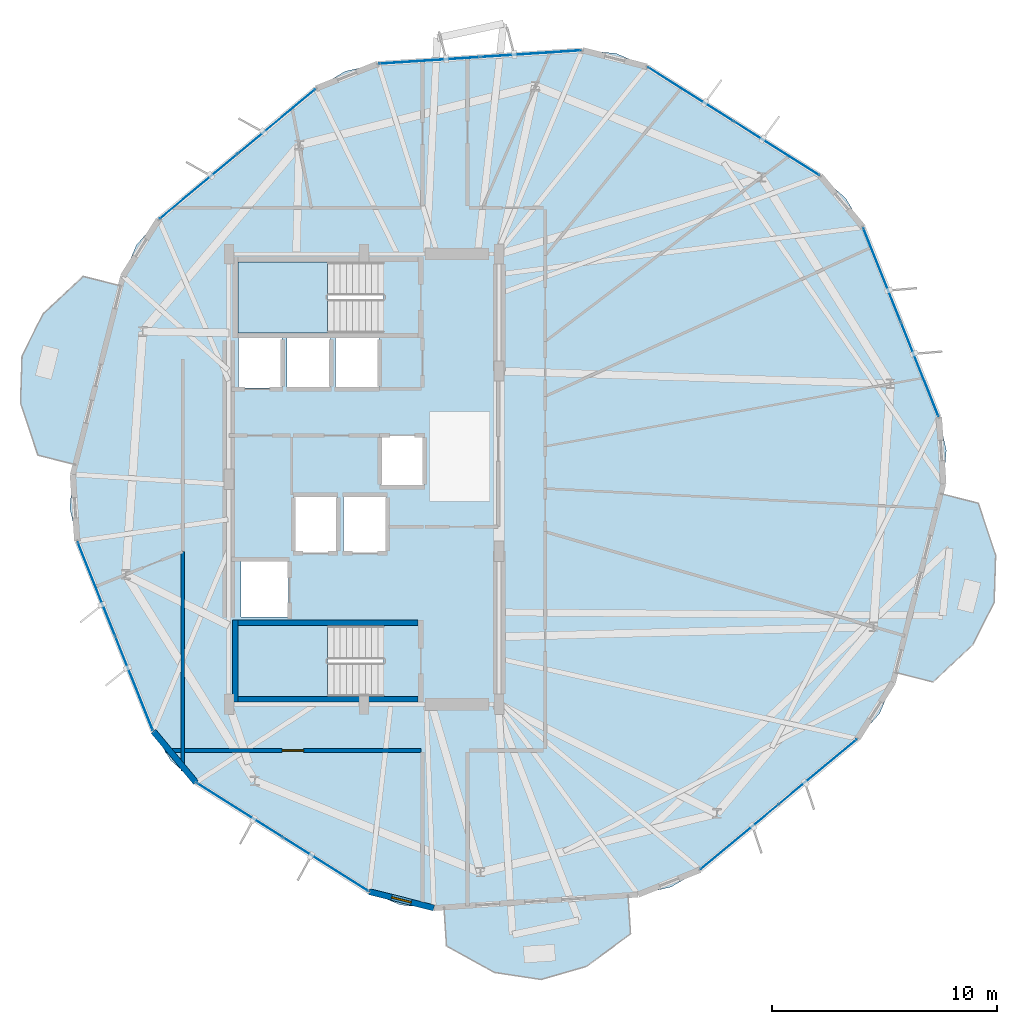
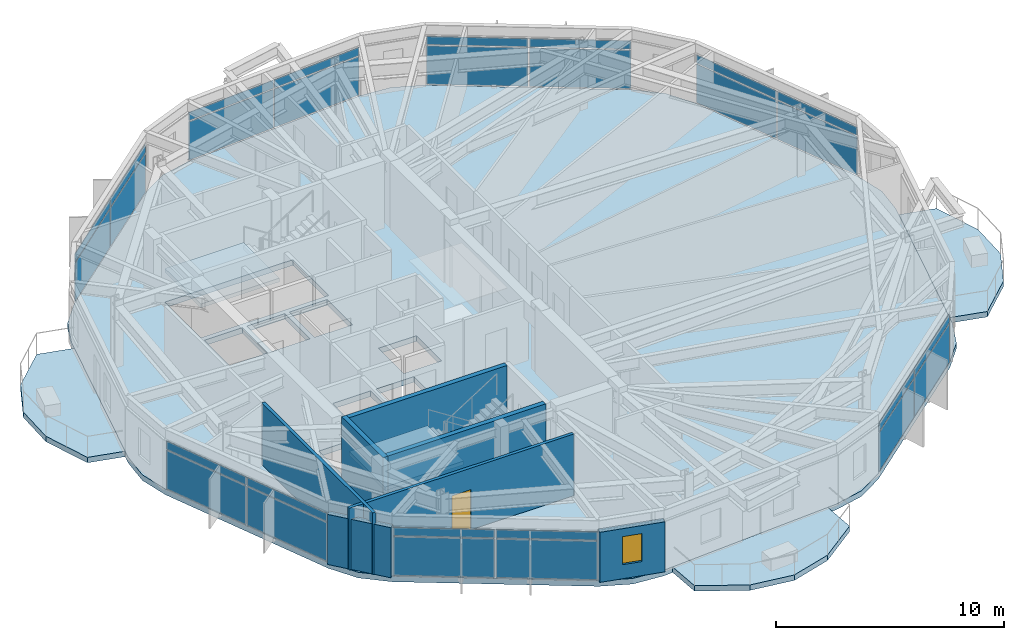
# One storey, part 18 of 24: 28 plates, 7 walls, 6 slabs, 1 door, 1 window, 2 openings, 9 elements without a shape of their own.
"""IFC4 building model written with IfcOpenShell, lengths in metres."""

from ifc_helpers import new_model, si_unit, direction, frame, frame_2d, origin, origin_2d, place, context, subcontext, project, spatial, polyline, rectangle, outline, extrude, material, layer, layer_set, type_object, element, fill, aggregate, save


model = new_model("IFC4")

# Units and contexts
model_context = context("Model", 3, precision=1e-05, world=origin(), true_north=direction((0.0, 1.0)))
body_context = subcontext(model_context, "Body", "Model", "MODEL_VIEW")
ifc_project = project(units=[si_unit("LENGTHUNIT", "METRE"), si_unit("AREAUNIT", "SQUARE_METRE"), si_unit("VOLUMEUNIT", "CUBIC_METRE"), si_unit("PLANEANGLEUNIT", "RADIAN"), si_unit("MASSUNIT", "GRAM", prefix="KILO")], contexts=[model_context])

# Site, building, storey
site_placement = place(None, origin())
site = spatial("IfcSite", under=ifc_project, at=site_placement, CompositionType="ELEMENT")
building_placement = place(site_placement, origin())
building = spatial("IfcBuilding", under=site, at=building_placement, Name="Soratama Intermodal Tower", CompositionType="ELEMENT")
storey_placement = place(building_placement, frame((0.0, 0.0, 178.60009765625)))
storey = spatial("IfcBuildingStorey", under=building, at=storey_placement, Name="L44", CompositionType="ELEMENT", Elevation=178.60009765625)

# Curtain wall, plates
ifc_material_1 = material(Name="Double-glazed aluminium curtain wall", Category="aluminium")
ifc_layer_1 = layer(ifc_material_1, 0.159912109375)
ifc_layer_set_1 = layer_set([ifc_layer_1], Name="Double-glazed aluminium curtain wall")
curtain_wall_type = type_object("IfcCurtainWallType", Name="CW-SYS-4", PredefinedType="NOTDEFINED", material=ifc_layer_set_1)
curtain_wall_1_placement = place(storey_placement, origin())
curtain_wall_1 = element("IfcCurtainWall", 1, at=curtain_wall_1_placement, inside=storey, type_object=curtain_wall_type, Name="L44 Faceted Curtain Wall F01", PredefinedType="NOTDEFINED")
ifc_material_2 = material(Name="Low-E laminated double glazing", Category="glass")
ifc_layer_2 = layer(ifc_material_2, 0.02392578125)
ifc_layer_set_2 = layer_set([ifc_layer_2], Name="Low-E laminated double glazing")
plate_type = type_object("IfcPlateType", Name="PT-CWP-4", PredefinedType="CURTAIN_PANEL", material=ifc_layer_set_2)
plate_1_placement = place(storey_placement, frame((56.924072265625, 39.687744140625, 0.059814453125), z_axis=(0.0, 0.0, 1.0), x_axis=(-0.846009666336, 0.53316755759, 0.0)))
plate_1 = element("IfcPlate", 2, at=plate_1_placement, type_object=plate_type, Name="CW-4 panel 1.1", PredefinedType="CURTAIN_PANEL", context=body_context, shape_type="SweptSolid", body=[
    extrude(rectangle(XDim=4.45361328125, YDim=0.028076171875, at=origin_2d()), origin(), (0.0, 0.0, 1.0), 2.06005859375),
])
plate_2_placement = place(storey_placement, frame((56.924072265625, 39.687744140625, 2.179931640625), z_axis=(0.0, 0.0, 1.0), x_axis=(-0.846009666336, 0.53316755759, 0.0)))
plate_2 = element("IfcPlate", 3, at=plate_2_placement, type_object=plate_type, Name="CW-4 panel 1.2", PredefinedType="CURTAIN_PANEL", context=body_context, shape_type="SweptSolid", body=[
    extrude(rectangle(XDim=4.45361328125, YDim=0.028076171875, at=origin_2d()), origin(), (0.0, 0.0, 1.0), 0.43896484375),
])
plate_3_placement = place(storey_placement, frame((53.10546875, 42.093994140625, 0.059814453125), z_axis=(0.0, 0.0, 1.0), x_axis=(-0.846009666336, 0.53316755759, 0.0)))
plate_3 = element("IfcPlate", 4, at=plate_3_placement, type_object=plate_type, Name="CW-4 panel 2.1", PredefinedType="CURTAIN_PANEL", context=body_context, shape_type="SweptSolid", body=[
    extrude(rectangle(XDim=4.45361328125, YDim=0.028076171875, at=origin_2d()), origin(), (0.0, 0.0, 1.0), 2.06005859375),
])
plate_4_placement = place(storey_placement, frame((53.10546875, 42.093994140625, 2.179931640625), z_axis=(0.0, 0.0, 1.0), x_axis=(-0.846009666336, 0.53316755759, 0.0)))
plate_4 = element("IfcPlate", 5, at=plate_4_placement, type_object=plate_type, Name="CW-4 panel 2.2", PredefinedType="CURTAIN_PANEL", context=body_context, shape_type="SweptSolid", body=[
    extrude(rectangle(XDim=4.45361328125, YDim=0.028076171875, at=origin_2d()), origin(), (0.0, 0.0, 1.0), 0.43896484375),
])
aggregate(curtain_wall_1, [plate_1, plate_2, plate_3, plate_4])

curtain_wall_2_placement = place(storey_placement, origin())
curtain_wall_2 = element("IfcCurtainWall", 6, at=curtain_wall_2_placement, inside=storey, type_object=curtain_wall_type, Name="L44 Faceted Curtain Wall F02", PredefinedType="NOTDEFINED")
plate_5_placement = place(storey_placement, frame((46.013427734375, 43.891357421875, 0.059814453125), z_axis=(0.0, 0.0, 1.0), x_axis=(-0.99782500344, -0.065918605192, 0.0)))
plate_5 = element("IfcPlate", 7, at=plate_5_placement, type_object=plate_type, Name="CW-4 panel 1.1", PredefinedType="CURTAIN_PANEL", context=body_context, shape_type="SweptSolid", body=[
    extrude(rectangle(XDim=4.453369140625, YDim=0.028076171875, at=origin_2d()), origin(), (0.0, 0.0, 1.0), 2.06005859375),
])
plate_6_placement = place(storey_placement, frame((46.013427734375, 43.891357421875, 2.179931640625), z_axis=(0.0, 0.0, 1.0), x_axis=(-0.99782500344, -0.065918605192, 0.0)))
plate_6 = element("IfcPlate", 8, at=plate_6_placement, type_object=plate_type, Name="CW-4 panel 1.2", PredefinedType="CURTAIN_PANEL", context=body_context, shape_type="SweptSolid", body=[
    extrude(rectangle(XDim=4.453369140625, YDim=0.028076171875, at=origin_2d()), origin(), (0.0, 0.0, 1.0), 0.43896484375),
])
plate_7_placement = place(storey_placement, frame((41.509765625, 43.59375, 0.059814453125), z_axis=(0.0, 0.0, 1.0), x_axis=(-0.99782500344, -0.065918605192, 0.0)))
plate_7 = element("IfcPlate", 9, at=plate_7_placement, type_object=plate_type, Name="CW-4 panel 2.1", PredefinedType="CURTAIN_PANEL", context=body_context, shape_type="SweptSolid", body=[
    extrude(rectangle(XDim=4.453369140625, YDim=0.028076171875, at=origin_2d()), origin(), (0.0, 0.0, 1.0), 2.06005859375),
])
plate_8_placement = place(storey_placement, frame((41.509765625, 43.59375, 2.179931640625), z_axis=(0.0, 0.0, 1.0), x_axis=(-0.99782500344, -0.065918605192, 0.0)))
plate_8 = element("IfcPlate", 10, at=plate_8_placement, type_object=plate_type, Name="CW-4 panel 2.2", PredefinedType="CURTAIN_PANEL", context=body_context, shape_type="SweptSolid", body=[
    extrude(rectangle(XDim=4.453369140625, YDim=0.028076171875, at=origin_2d()), origin(), (0.0, 0.0, 1.0), 0.43896484375),
])
aggregate(curtain_wall_2, [plate_5, plate_6, plate_7, plate_8])

curtain_wall_3_placement = place(storey_placement, origin())
curtain_wall_3 = element("IfcCurtainWall", 11, at=curtain_wall_3_placement, inside=storey, type_object=curtain_wall_type, Name="L44 Faceted Curtain Wall F03", PredefinedType="NOTDEFINED")
plate_9_placement = place(storey_placement, frame((34.7158203125, 40.879150390625, 0.059814453125), z_axis=(0.0, 0.0, 1.0), x_axis=(-0.768508048481, -0.639840120202, 0.0)))
plate_9 = element("IfcPlate", 12, at=plate_9_placement, type_object=plate_type, Name="CW-4 panel 1.1", PredefinedType="CURTAIN_PANEL", context=body_context, shape_type="SweptSolid", body=[
    extrude(rectangle(XDim=4.453369140625, YDim=0.028076171875, at=origin_2d()), origin(), (0.0, 0.0, 1.0), 2.06005859375),
])
plate_10_placement = place(storey_placement, frame((34.7158203125, 40.879150390625, 2.179931640625), z_axis=(0.0, 0.0, 1.0), x_axis=(-0.768508048481, -0.639840120202, 0.0)))
plate_10 = element("IfcPlate", 13, at=plate_10_placement, type_object=plate_type, Name="CW-4 panel 1.2", PredefinedType="CURTAIN_PANEL", context=body_context, shape_type="SweptSolid", body=[
    extrude(rectangle(XDim=4.453369140625, YDim=0.028076171875, at=origin_2d()), origin(), (0.0, 0.0, 1.0), 0.43896484375),
])
plate_11_placement = place(storey_placement, frame((31.247314453125, 37.9912109375, 0.059814453125), z_axis=(0.0, 0.0, 1.0), x_axis=(-0.768508048481, -0.639840120202, 0.0)))
plate_11 = element("IfcPlate", 14, at=plate_11_placement, type_object=plate_type, Name="CW-4 panel 2.1", PredefinedType="CURTAIN_PANEL", context=body_context, shape_type="SweptSolid", body=[
    extrude(rectangle(XDim=4.453369140625, YDim=0.028076171875, at=origin_2d()), origin(), (0.0, 0.0, 1.0), 2.06005859375),
])
plate_12_placement = place(storey_placement, frame((31.247314453125, 37.9912109375, 2.179931640625), z_axis=(0.0, 0.0, 1.0), x_axis=(-0.768508048481, -0.639840120202, 0.0)))
plate_12 = element("IfcPlate", 15, at=plate_12_placement, type_object=plate_type, Name="CW-4 panel 2.2", PredefinedType="CURTAIN_PANEL", context=body_context, shape_type="SweptSolid", body=[
    extrude(rectangle(XDim=4.453369140625, YDim=0.028076171875, at=origin_2d()), origin(), (0.0, 0.0, 1.0), 0.43896484375),
])
aggregate(curtain_wall_3, [plate_9, plate_10, plate_11, plate_12])

curtain_wall_4_placement = place(storey_placement, origin())
curtain_wall_4 = element("IfcCurtainWall", 16, at=curtain_wall_4_placement, inside=storey, type_object=curtain_wall_type, Name="L44 Faceted Curtain Wall F05", PredefinedType="NOTDEFINED")
plate_13_placement = place(storey_placement, frame((26.72021484375, 20.126220703125, 0.059814453125), z_axis=(0.0, 0.0, 1.0), x_axis=(0.371037737075, -0.928617788795, 0.0)))
plate_13 = element("IfcPlate", 17, at=plate_13_placement, type_object=plate_type, Name="CW-4 panel 1.1", PredefinedType="CURTAIN_PANEL", context=body_context, shape_type="SweptSolid", body=[
    extrude(rectangle(XDim=4.453369140625, YDim=0.028076171875, at=origin_2d()), origin(), (0.0, 0.0, 1.0), 2.06005859375),
])
plate_14_placement = place(storey_placement, frame((26.72021484375, 20.126220703125, 2.179931640625), z_axis=(0.0, 0.0, 1.0), x_axis=(0.371037737075, -0.928617788795, 0.0)))
plate_14 = element("IfcPlate", 18, at=plate_14_placement, type_object=plate_type, Name="CW-4 panel 1.2", PredefinedType="CURTAIN_PANEL", context=body_context, shape_type="SweptSolid", body=[
    extrude(rectangle(XDim=4.453369140625, YDim=0.028076171875, at=origin_2d()), origin(), (0.0, 0.0, 1.0), 0.43896484375),
])
plate_15_placement = place(storey_placement, frame((28.394775390625, 15.934814453125, 0.059814453125), z_axis=(0.0, 0.0, 1.0), x_axis=(0.371037737075, -0.928617788795, 0.0)))
plate_15 = element("IfcPlate", 19, at=plate_15_placement, type_object=plate_type, Name="CW-4 panel 2.1", PredefinedType="CURTAIN_PANEL", context=body_context, shape_type="SweptSolid", body=[
    extrude(rectangle(XDim=4.453369140625, YDim=0.028076171875, at=origin_2d()), origin(), (0.0, 0.0, 1.0), 2.06005859375),
])
plate_16_placement = place(storey_placement, frame((28.394775390625, 15.934814453125, 2.179931640625), z_axis=(0.0, 0.0, 1.0), x_axis=(0.371037737075, -0.928617788795, 0.0)))
plate_16 = element("IfcPlate", 20, at=plate_16_placement, type_object=plate_type, Name="CW-4 panel 2.2", PredefinedType="CURTAIN_PANEL", context=body_context, shape_type="SweptSolid", body=[
    extrude(rectangle(XDim=4.453369140625, YDim=0.028076171875, at=origin_2d()), origin(), (0.0, 0.0, 1.0), 0.43896484375),
])
aggregate(curtain_wall_4, [plate_13, plate_14, plate_15, plate_16])

curtain_wall_5_placement = place(storey_placement, origin())
curtain_wall_5 = element("IfcCurtainWall", 21, at=curtain_wall_5_placement, inside=storey, type_object=curtain_wall_type, Name="L44 Faceted Curtain Wall F06", PredefinedType="NOTDEFINED")
plate_17_placement = place(storey_placement, frame((33.075927734375, 10.312255859375, 0.059814453125), z_axis=(0.0, 0.0, 1.0), x_axis=(0.846009666336, -0.53316755759, 0.0)))
plate_17 = element("IfcPlate", 22, at=plate_17_placement, type_object=plate_type, Name="CW-4 panel 1.1", PredefinedType="CURTAIN_PANEL", context=body_context, shape_type="SweptSolid", body=[
    extrude(rectangle(XDim=4.45361328125, YDim=0.028076171875, at=origin_2d()), origin(), (0.0, 0.0, 1.0), 2.06005859375),
])
plate_18_placement = place(storey_placement, frame((33.075927734375, 10.312255859375, 2.179931640625), z_axis=(0.0, 0.0, 1.0), x_axis=(0.846009666336, -0.53316755759, 0.0)))
plate_18 = element("IfcPlate", 23, at=plate_18_placement, type_object=plate_type, Name="CW-4 panel 1.2", PredefinedType="CURTAIN_PANEL", context=body_context, shape_type="SweptSolid", body=[
    extrude(rectangle(XDim=4.45361328125, YDim=0.028076171875, at=origin_2d()), origin(), (0.0, 0.0, 1.0), 0.43896484375),
])
plate_19_placement = place(storey_placement, frame((36.89453125, 7.906005859375, 0.059814453125), z_axis=(0.0, 0.0, 1.0), x_axis=(0.846009666336, -0.53316755759, 0.0)))
plate_19 = element("IfcPlate", 24, at=plate_19_placement, type_object=plate_type, Name="CW-4 panel 2.1", PredefinedType="CURTAIN_PANEL", context=body_context, shape_type="SweptSolid", body=[
    extrude(rectangle(XDim=4.45361328125, YDim=0.028076171875, at=origin_2d()), origin(), (0.0, 0.0, 1.0), 2.06005859375),
])
plate_20_placement = place(storey_placement, frame((36.89453125, 7.906005859375, 2.179931640625), z_axis=(0.0, 0.0, 1.0), x_axis=(0.846009666336, -0.53316755759, 0.0)))
plate_20 = element("IfcPlate", 25, at=plate_20_placement, type_object=plate_type, Name="CW-4 panel 2.2", PredefinedType="CURTAIN_PANEL", context=body_context, shape_type="SweptSolid", body=[
    extrude(rectangle(XDim=4.45361328125, YDim=0.028076171875, at=origin_2d()), origin(), (0.0, 0.0, 1.0), 0.43896484375),
])
aggregate(curtain_wall_5, [plate_17, plate_18, plate_19, plate_20])

curtain_wall_6_placement = place(storey_placement, origin())
curtain_wall_6 = element("IfcCurtainWall", 26, at=curtain_wall_6_placement, inside=storey, type_object=curtain_wall_type, Name="L44 Faceted Curtain Wall F08", PredefinedType="NOTDEFINED")
plate_21_placement = place(storey_placement, frame((55.2841796875, 9.120849609375, 0.059814453125), z_axis=(0.0, 0.0, 1.0), x_axis=(0.768508048481, 0.639840120202, 0.0)))
plate_21 = element("IfcPlate", 27, at=plate_21_placement, type_object=plate_type, Name="CW-4 panel 1.1", PredefinedType="CURTAIN_PANEL", context=body_context, shape_type="SweptSolid", body=[
    extrude(rectangle(XDim=4.453369140625, YDim=0.028076171875, at=origin_2d()), origin(), (0.0, 0.0, 1.0), 2.06005859375),
])
plate_22_placement = place(storey_placement, frame((55.2841796875, 9.120849609375, 2.179931640625), z_axis=(0.0, 0.0, 1.0), x_axis=(0.768508048481, 0.639840120202, 0.0)))
plate_22 = element("IfcPlate", 28, at=plate_22_placement, type_object=plate_type, Name="CW-4 panel 1.2", PredefinedType="CURTAIN_PANEL", context=body_context, shape_type="SweptSolid", body=[
    extrude(rectangle(XDim=4.453369140625, YDim=0.028076171875, at=origin_2d()), origin(), (0.0, 0.0, 1.0), 0.43896484375),
])
plate_23_placement = place(storey_placement, frame((58.752685546875, 12.0087890625, 0.059814453125), z_axis=(0.0, 0.0, 1.0), x_axis=(0.768508048481, 0.639840120202, 0.0)))
plate_23 = element("IfcPlate", 29, at=plate_23_placement, type_object=plate_type, Name="CW-4 panel 2.1", PredefinedType="CURTAIN_PANEL", context=body_context, shape_type="SweptSolid", body=[
    extrude(rectangle(XDim=4.453369140625, YDim=0.028076171875, at=origin_2d()), origin(), (0.0, 0.0, 1.0), 2.06005859375),
])
plate_24_placement = place(storey_placement, frame((58.752685546875, 12.0087890625, 2.179931640625), z_axis=(0.0, 0.0, 1.0), x_axis=(0.768508048481, 0.639840120202, 0.0)))
plate_24 = element("IfcPlate", 30, at=plate_24_placement, type_object=plate_type, Name="CW-4 panel 2.2", PredefinedType="CURTAIN_PANEL", context=body_context, shape_type="SweptSolid", body=[
    extrude(rectangle(XDim=4.453369140625, YDim=0.028076171875, at=origin_2d()), origin(), (0.0, 0.0, 1.0), 0.43896484375),
])
aggregate(curtain_wall_6, [plate_21, plate_22, plate_23, plate_24])

curtain_wall_7_placement = place(storey_placement, origin())
curtain_wall_7 = element("IfcCurtainWall", 31, at=curtain_wall_7_placement, inside=storey, type_object=curtain_wall_type, Name="L44 Faceted Curtain Wall F10", PredefinedType="NOTDEFINED")
plate_25_placement = place(storey_placement, frame((63.27978515625, 29.873779296875, 0.059814453125), z_axis=(0.0, 0.0, 1.0), x_axis=(-0.371037737075, 0.928617788795, 0.0)))
plate_25 = element("IfcPlate", 32, at=plate_25_placement, type_object=plate_type, Name="CW-4 panel 1.1", PredefinedType="CURTAIN_PANEL", context=body_context, shape_type="SweptSolid", body=[
    extrude(rectangle(XDim=4.453369140625, YDim=0.028076171875, at=origin_2d()), origin(), (0.0, 0.0, 1.0), 2.06005859375),
])
plate_26_placement = place(storey_placement, frame((63.27978515625, 29.873779296875, 2.179931640625), z_axis=(0.0, 0.0, 1.0), x_axis=(-0.371037737075, 0.928617788795, 0.0)))
plate_26 = element("IfcPlate", 33, at=plate_26_placement, type_object=plate_type, Name="CW-4 panel 1.2", PredefinedType="CURTAIN_PANEL", context=body_context, shape_type="SweptSolid", body=[
    extrude(rectangle(XDim=4.453369140625, YDim=0.028076171875, at=origin_2d()), origin(), (0.0, 0.0, 1.0), 0.43896484375),
])
plate_27_placement = place(storey_placement, frame((61.605224609375, 34.065185546875, 0.059814453125), z_axis=(0.0, 0.0, 1.0), x_axis=(-0.371037737075, 0.928617788795, 0.0)))
plate_27 = element("IfcPlate", 34, at=plate_27_placement, type_object=plate_type, Name="CW-4 panel 2.1", PredefinedType="CURTAIN_PANEL", context=body_context, shape_type="SweptSolid", body=[
    extrude(rectangle(XDim=4.453369140625, YDim=0.028076171875, at=origin_2d()), origin(), (0.0, 0.0, 1.0), 2.06005859375),
])
plate_28_placement = place(storey_placement, frame((61.605224609375, 34.065185546875, 2.179931640625), z_axis=(0.0, 0.0, 1.0), x_axis=(-0.371037737075, 0.928617788795, 0.0)))
plate_28 = element("IfcPlate", 35, at=plate_28_placement, type_object=plate_type, Name="CW-4 panel 2.2", PredefinedType="CURTAIN_PANEL", context=body_context, shape_type="SweptSolid", body=[
    extrude(rectangle(XDim=4.453369140625, YDim=0.028076171875, at=origin_2d()), origin(), (0.0, 0.0, 1.0), 0.43896484375),
])
aggregate(curtain_wall_7, [plate_25, plate_26, plate_27, plate_28])

# Slabs
ifc_material_3 = material(Name="Concrete f'c 42 MPa", Category="concrete")
ifc_layer_3 = layer(ifc_material_3, 0.2900390625)
ifc_layer_set_3 = layer_set([ifc_layer_3], Name="Concrete f'c 42 MPa")
slab_type_1 = type_object("IfcSlabType", Name="SL-EXT-BAL2", PredefinedType="FLOOR", material=ifc_layer_set_3)
slab_1_placement = place(storey_placement, frame((0.0, 0.0, -0.2900390625)))
element("IfcSlab", 36, at=slab_1_placement, inside=storey, type_object=slab_type_1, Name="L44 Planted Balcony East 1", PredefinedType="FLOOR", context=body_context, shape_type="SweptSolid", body=[
    extrude(outline(polyline([(62.202392578125, 16.41796875), (64.21337890625, 24.35400390625), (65.880615234375, 23.931396484375), (66.648681640625, 21.62548828125), (66.581298828125, 19.531005859375), (65.64306640625, 17.657470703125), (63.86962890625, 15.995361328125), (62.202392578125, 16.41796875)])), origin(), (0.0, 0.0, 1.0), 0.2900390625),
])
slab_2_placement = place(storey_placement, frame((0.0, 0.0, -0.2900390625)))
element("IfcSlab", 37, at=slab_2_placement, inside=storey, type_object=slab_type_1, Name="L44 Planted Balcony West 2", PredefinedType="FLOOR", context=body_context, shape_type="SweptSolid", body=[
    extrude(outline(polyline([(27.797607421875, 33.58203125), (25.78662109375, 25.64599609375), (24.119384765625, 26.068603515625), (23.351318359375, 28.37451171875), (23.418701171875, 30.468994140625), (24.35693359375, 32.342529296875), (26.13037109375, 34.004638671875), (27.797607421875, 33.58203125)])), origin(), (0.0, 0.0, 1.0), 0.2900390625),
])
slab_3_placement = place(storey_placement, frame((0.0, 0.0, -0.2900390625)))
element("IfcSlab", 38, at=slab_3_placement, inside=storey, type_object=slab_type_1, Name="L44 Planted Balcony South 3", PredefinedType="FLOOR", context=body_context, shape_type="SweptSolid", body=[
    extrude(outline(polyline([(42.15380859375, 5.98779296875), (50.322998046875, 6.52734375), (50.436279296875, 4.81103515625), (48.48046875, 3.3681640625), (46.4677734375, 2.78515625), (44.395751953125, 3.098388671875), (42.26708984375, 4.271484375), (42.15380859375, 5.98779296875)])), origin(), (0.0, 0.0, 1.0), 0.2900390625),
])

# Stair, slab
ifc_material_4 = material(Name="Concrete f'c 42 MPa", Category="concrete")
stair_type = type_object("IfcStairType", Name="ST-CORE-DOGLEG", PredefinedType="HALF_TURN_STAIR", material=ifc_material_4)
stair_1_placement = place(storey_placement, origin())
stair_1 = element("IfcStair", 39, at=stair_1_placement, inside=storey, type_object=stair_type, Name="L44 ST-1", PredefinedType="HALF_TURN_STAIR")
ifc_material_5 = material(Name="Concrete f'c 42 MPa", Category="concrete")
ifc_layer_4 = layer(ifc_material_5, 0.219970703125)
ifc_layer_set_4 = layer_set([ifc_layer_4], Name="Concrete f'c 42 MPa")
slab_type_2 = type_object("IfcSlabType", Name="SL-STAIR-LAND", PredefinedType="LANDING", material=ifc_layer_set_4)
slab_4_placement = place(storey_placement, frame((0.0, 0.0, 1.599853515625)))
slab_4 = element("IfcSlab", 40, at=slab_4_placement, type_object=slab_type_2, Name="ST-1 landing 1", PredefinedType="LANDING", context=body_context, shape_type="SweptSolid", body=[
    extrude(outline(polyline([(36.97998046875, 18.5), (33.0, 18.5), (33.0, 15.35009765625), (36.97998046875, 15.35009765625), (36.97998046875, 18.5)])), origin(), (0.0, 0.0, 1.0), 0.199951171875),
])
aggregate(stair_1, [slab_4])

stair_2_placement = place(storey_placement, origin())
stair_2 = element("IfcStair", 41, at=stair_2_placement, inside=storey, type_object=stair_type, Name="L44 ST-2", PredefinedType="HALF_TURN_STAIR")
slab_5_placement = place(storey_placement, frame((0.0, 0.0, 1.599853515625)))
slab_5 = element("IfcSlab", 42, at=slab_5_placement, type_object=slab_type_2, Name="ST-2 landing 1", PredefinedType="LANDING", context=body_context, shape_type="SweptSolid", body=[
    extrude(outline(polyline([(36.97998046875, 34.64990234375), (33.0, 34.64990234375), (33.0, 31.5), (36.97998046875, 31.5), (36.97998046875, 34.64990234375)])), origin(), (0.0, 0.0, 1.0), 0.199951171875),
])
aggregate(stair_2, [slab_5])

# Slab
ifc_material_6 = material(Name="Concrete f'c 42 MPa", Category="concrete")
ifc_layer_5 = layer(ifc_material_6, 0.280029296875)
ifc_layer_set_5 = layer_set([ifc_layer_5], Name="Concrete f'c 42 MPa")
slab_type_3 = type_object("IfcSlabType", Name="SL-TWR-280", PredefinedType="FLOOR", material=ifc_layer_set_5)
slab_6_placement = place(storey_placement, frame((0.0, 0.0, -0.300048828125)))
element("IfcSlab", 43, at=slab_6_placement, inside=storey, type_object=slab_type_3, Name="L44 Structural Floor Slab", PredefinedType="FLOOR", context=body_context, shape_type="SweptSolid", body=[
    extrude(outline(polyline([(60.756591796875, 36.188720703125), (59.98828125, 37.478759765625), (58.858642578125, 38.468505859375), (51.1708984375, 43.313232421875), (49.790771484375, 43.905517578125), (48.29541015625, 44.0419921875), (39.22802734375, 43.443115234375), (37.763427734375, 43.11083984375), (36.473388671875, 42.34228515625), (29.489990234375, 36.528076171875), (28.500244140625, 35.3984375), (27.908203125, 34.018310546875), (25.676025390625, 25.209716796875), (25.539306640625, 23.71435546875), (25.87158203125, 22.249755859375), (29.243408203125, 13.811279296875), (30.01171875, 12.521240234375), (31.141357421875, 11.531494140625), (38.8291015625, 6.686767578125), (40.209228515625, 6.094482421875), (41.70458984375, 5.9580078125), (50.77197265625, 6.556884765625), (52.236572265625, 6.88916015625), (53.526611328125, 7.65771484375), (60.510009765625, 13.471923828125), (61.499755859375, 14.6015625), (62.091796875, 15.981689453125), (64.323974609375, 24.790283203125), (64.460693359375, 26.28564453125), (64.12841796875, 27.750244140625), (60.756591796875, 36.188720703125)]), holes=[polyline([(33.0, 18.5), (33.0, 15.35009765625), (39.47509765625, 15.35009765625), (39.47509765625, 18.5), (33.0, 18.5)]), polyline([(35.260009765625, 21.409912109375), (33.139892578125, 21.409912109375), (33.139892578125, 18.889892578125), (35.260009765625, 18.889892578125), (35.260009765625, 21.409912109375)]), polyline([(37.409912109375, 24.260009765625), (35.489990234375, 24.260009765625), (35.489990234375, 21.739990234375), (37.409912109375, 21.739990234375), (37.409912109375, 24.260009765625)]), polyline([(39.610107421875, 24.260009765625), (37.68994140625, 24.260009765625), (37.68994140625, 21.739990234375), (39.610107421875, 21.739990234375), (39.610107421875, 24.260009765625)]), polyline([(41.260009765625, 26.909912109375), (39.340087890625, 26.909912109375), (39.340087890625, 24.68994140625), (41.260009765625, 24.68994140625), (41.260009765625, 26.909912109375)]), polyline([(34.9599609375, 31.260009765625), (33.0400390625, 31.260009765625), (33.0400390625, 29.0400390625), (34.9599609375, 29.0400390625), (34.9599609375, 31.260009765625)]), polyline([(37.110107421875, 31.260009765625), (35.18994140625, 31.260009765625), (35.18994140625, 29.0400390625), (37.110107421875, 29.0400390625), (37.110107421875, 31.260009765625)]), polyline([(39.260009765625, 29.0400390625), (39.260009765625, 31.260009765625), (37.340087890625, 31.260009765625), (37.340087890625, 29.0400390625), (39.260009765625, 29.0400390625)]), polyline([(39.47509765625, 34.64990234375), (33.0, 34.64990234375), (33.0, 31.5), (39.47509765625, 31.5), (39.47509765625, 34.64990234375)])]), origin(), (0.0, 0.0, 1.0), 0.300048828125),
])

# Wall
ifc_material_7 = material(Name="Concrete f'c 42 MPa", Category="concrete")
ifc_layer_6 = layer(ifc_material_7, 0.27001953125)
ifc_layer_set_6 = layer_set([ifc_layer_6], Name="Concrete f'c 42 MPa")
wall_type_1 = type_object("IfcWallType", Name="EW-CRN-270", PredefinedType="SOLIDWALL", material=ifc_layer_set_6)
wall_1_placement = place(storey_placement, frame((29.243408203125, 13.811279296875, 0.0), z_axis=(0.0, 0.0, 1.0), x_axis=(0.639811943849, -0.768531506517, 0.0)))
element("IfcWall", 44, at=wall_1_placement, inside=storey, type_object=wall_type_1, Name="L44 Corner Closure Wall 05", PredefinedType="SOLIDWALL", context=body_context, shape_type="SweptSolid", body=[
    extrude(rectangle(XDim=2.96630859375, YDim=0.27001953125, at=frame_2d((1.483154296875, 0.0))), origin(), (0.0, 0.0, 1.0), 2.678955078125),
])

# Wall, opening, window
wall_2_placement = place(storey_placement, frame((38.8291015625, 6.686767578125, 0.0), z_axis=(0.0, 0.0, 1.0), x_axis=(0.969353138007, -0.245671516128, 0.0)))
wall_2 = element("IfcWall", 45, at=wall_2_placement, inside=storey, type_object=wall_type_1, Name="L44 Corner Closure Wall 06", PredefinedType="SOLIDWALL", context=body_context, shape_type="SweptSolid", body=[
    extrude(rectangle(XDim=2.96630859375, YDim=0.27001953125, at=frame_2d((1.483154296875, 0.0))), origin(), (0.0, 0.0, 1.0), 2.678955078125),
])
opening_1_placement = place(wall_2_placement, frame((1.033203125, 0.0, 0.75)))
opening_1 = element("IfcOpeningElement", 46, at=opening_1_placement, cuts=wall_2, Name="Opening WN-6", PredefinedType="OPENING", context=body_context, shape_type="SweptSolid", body=[
    extrude(rectangle(XDim=0.89990234375, YDim=1.5, at=frame_2d((0.449951171875, 0.75))), frame((0.0, 0.14501953125, 0.0), z_axis=(0.0, -1.0, 0.0), x_axis=(1.0, 0.0, 0.0)), (0.0, 0.0, 1.0), 0.2900390625),
])
ifc_material_8 = material(Name="Double-glazed aluminium window", Category="aluminium")
window_type = type_object("IfcWindowType", Name="WN-FAC-900", PartitioningType="SINGLE_PANEL", PredefinedType="WINDOW", material=ifc_material_8)
window_placement = place(opening_1_placement, origin())
window = element("IfcWindow", 47, at=window_placement, inside=storey, type_object=window_type, Name="L44 Corner Window 06", OverallHeight=1.5, OverallWidth=0.89990234375, PartitioningType="SINGLE_PANEL", PredefinedType="WINDOW", context=body_context, shape_type="SweptSolid", body=[
    extrude(rectangle(XDim=0.89990234375, YDim=1.5, at=frame_2d((0.449951171875, 0.75))), frame((0.0, 0.030029296875, 0.0), z_axis=(0.0, -1.0, 0.0), x_axis=(1.0, 0.0, 0.0)), (0.0, 0.0, 1.0), 0.06005859375),
])
fill(opening_1, window)

# Wall, opening, door
ifc_material_9 = material(Name="Fire-rated gypsum stud partition", Category="concrete")
ifc_layer_7 = layer(ifc_material_9, 0.159912109375)
ifc_layer_set_7 = layer_set([ifc_layer_7], Name="Fire-rated gypsum stud partition")
wall_type_2 = type_object("IfcWallType", Name="IW-PART-R160", PredefinedType="PARTITIONING", material=ifc_layer_set_7)
wall_3_placement = place(storey_placement, frame((41.1298828125, 12.949951171875, 0.0), z_axis=(0.0, 0.0, 1.0), x_axis=(-1.0, 0.0, 0.0)))
wall_3 = element("IfcWall", 48, at=wall_3_placement, inside=storey, type_object=wall_type_2, Name="L44 Partition W-L44-TP006", PredefinedType="PARTITIONING", context=body_context, shape_type="SweptSolid", body=[
    extrude(rectangle(XDim=11.373779296875, YDim=0.159912109375, at=frame_2d((5.68701171875, 0.0))), origin(), (0.0, 0.0, 1.0), 3.2998046875),
])
opening_2_placement = place(wall_3_placement, frame((5.2119140625, 0.0, 0.0)))
opening_2 = element("IfcOpeningElement", 49, at=opening_2_placement, cuts=wall_3, Name="Opening ID-3", PredefinedType="OPENING", context=body_context, shape_type="SweptSolid", body=[
    extrude(rectangle(XDim=0.949951171875, YDim=2.14990234375, at=frame_2d((0.47509765625, 1.074951171875))), frame((0.0, 0.08984375, 0.0), z_axis=(0.0, -1.0, 0.0), x_axis=(1.0, 0.0, 0.0)), (0.0, 0.0, 1.0), 0.179931640625),
])
ifc_material_10 = material(Name="Solid hardwood acoustic door", Category="wood")
door_type = type_object("IfcDoorType", Name="DR-ROOM-950", OperationType="NOTDEFINED", PredefinedType="DOOR", material=ifc_material_10)
door_placement = place(opening_2_placement, origin())
door = element("IfcDoor", 50, at=door_placement, inside=storey, type_object=door_type, Name="L44 Door D-L44-TP001", OperationType="SINGLE_SWING_RIGHT", OverallHeight=2.14990234375, OverallWidth=0.949951171875, PredefinedType="DOOR", context=body_context, shape_type="SweptSolid", body=[
    extrude(rectangle(XDim=0.949951171875, YDim=2.14990234375, at=frame_2d((0.47509765625, 1.074951171875))), frame((0.0, 0.02490234375, 0.0), z_axis=(0.0, -1.0, 0.0), x_axis=(1.0, 0.0, 0.0)), (0.0, 0.0, 1.0), 0.050048828125),
])
fill(opening_2, door)

# Walls
wall_4_placement = place(storey_placement, frame((30.550048828125, 12.050048828125, 0.0), z_axis=(0.0, 0.0, 1.0), x_axis=(0.0, 1.0, 0.0)))
element("IfcWall", 51, at=wall_4_placement, inside=storey, type_object=wall_type_2, Name="L44 Partition W-L44-TP007", PredefinedType="PARTITIONING", context=body_context, shape_type="SweptSolid", body=[
    extrude(rectangle(XDim=9.72802734375, YDim=0.159912109375, at=frame_2d((4.864013671875, 0.0))), origin(), (0.0, 0.0, 1.0), 3.2998046875),
])
ifc_material_11 = material(Name="Concrete f'c 56 MPa", Category="concrete")
ifc_layer_8 = layer(ifc_material_11, 0.239990234375)
ifc_layer_set_8 = layer_set([ifc_layer_8], Name="Concrete f'c 56 MPa")
wall_type_3 = type_object("IfcWallType", Name="SW-STAIR-240", PredefinedType="SHEAR", material=ifc_layer_set_8)
wall_5_placement = place(storey_placement, frame((32.8798828125, 15.110107421875, 0.0), z_axis=(0.0, 0.0, 1.0), x_axis=(0.0, 1.0, 0.0)))
element("IfcWall", 52, at=wall_5_placement, inside=storey, type_object=wall_type_3, Name="L44 ST-1 Shaft Shear Wall W", PredefinedType="SHEAR", context=body_context, shape_type="SweptSolid", body=[
    extrude(rectangle(XDim=3.6298828125, YDim=0.239990234375, at=frame_2d((1.81494140625, 0.0))), origin(), (0.0, 0.0, 1.0), 3.599853515625),
])
for number, where, z_axis, x_axis, name in (
    (53, (33.0, 15.22998046875, 0.0), (0.0, 0.0, 1.0), (1.0, 0.0, 0.0), "L44 ST-1 Shaft Shear Wall S"),
    (54, (33.0, 18.6201171875, 0.0), (0.0, 0.0, 1.0), (1.0, 0.0, 0.0), "L44 ST-1 Shaft Shear Wall N"),
):
    element("IfcWall", number, at=place(storey_placement, frame(where, z_axis=z_axis, x_axis=x_axis)), inside=storey, type_object=wall_type_3, Name=name, PredefinedType="SHEAR", context=body_context, shape_type="SweptSolid", body=[
        extrude(rectangle(XDim=8.0, YDim=0.239990234375, at=frame_2d((4.0, 0.0))), origin(), (0.0, 0.0, 1.0), 3.599853515625),
    ])

save(model, "model.ifc")
